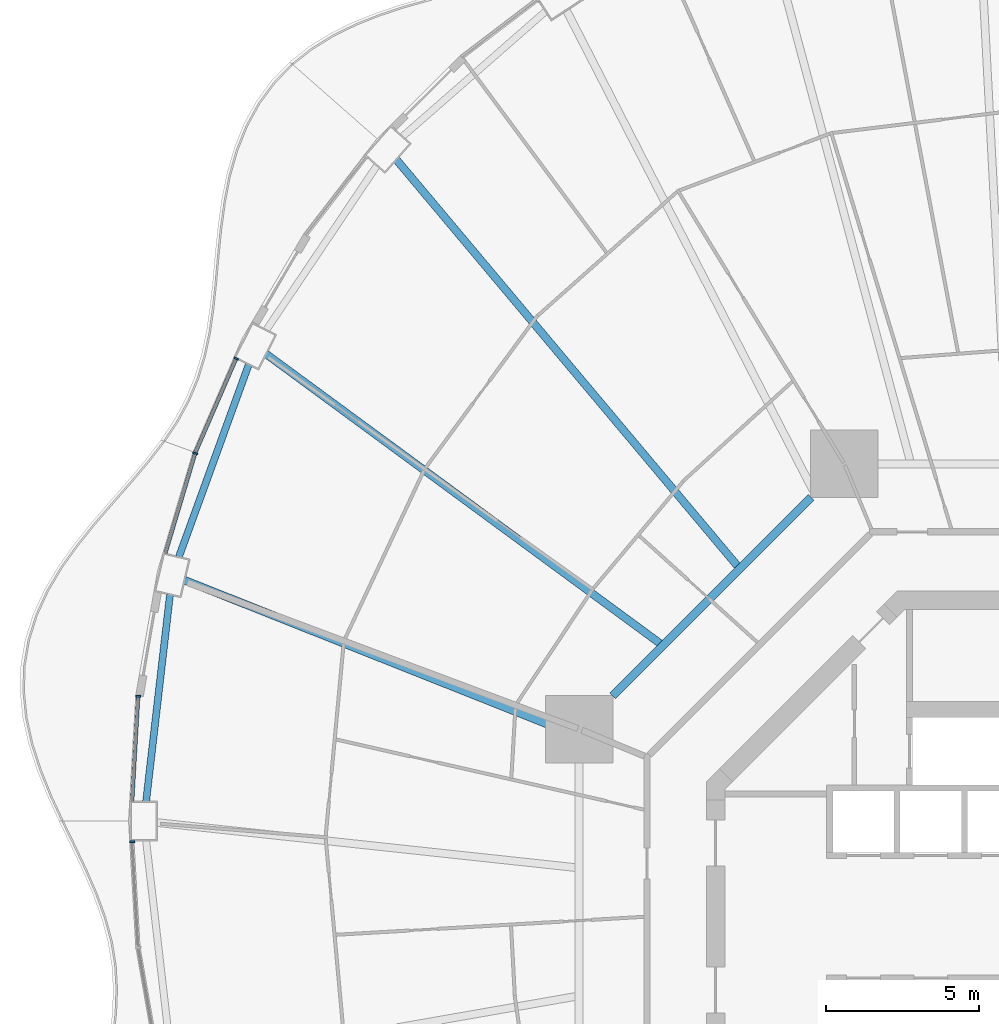
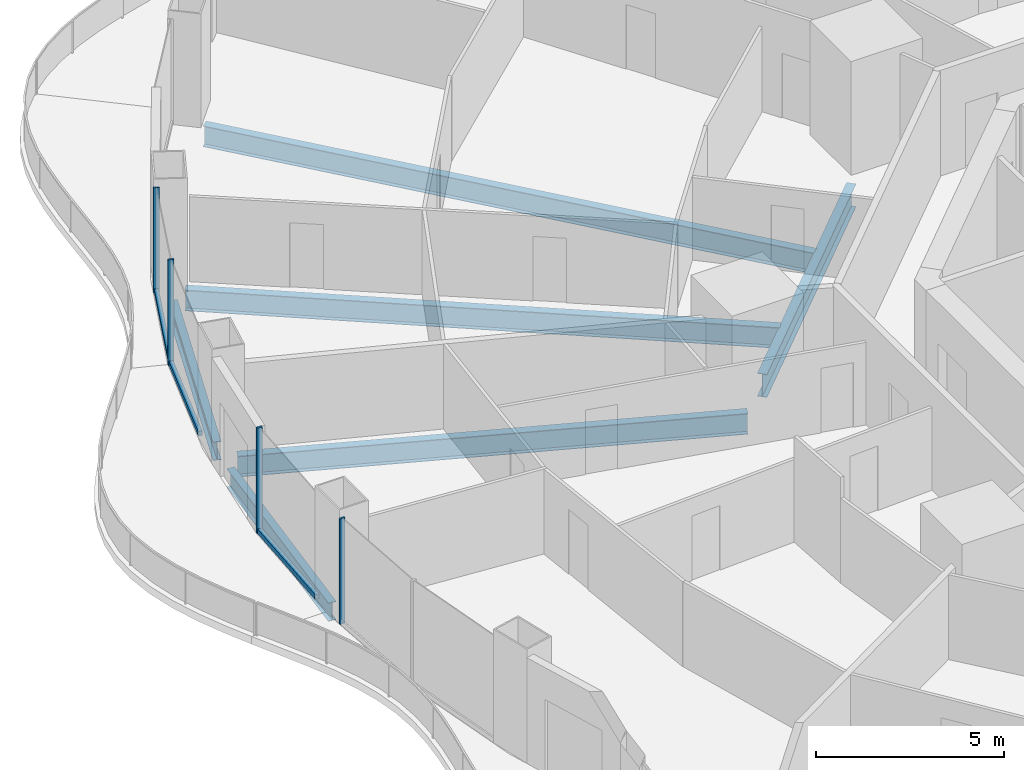
# One storey, part 7 of 22: 7 members, 6 beams, 4 elements without a shape of their own.
"""IFC4 building model written with IfcOpenShell, lengths in metres."""

from ifc_helpers import new_model, si_unit, direction, frame, origin, origin_2d, place, context, subcontext, project, spatial, rectangle, i_section, extrude, material, layer, layer_set, material_profile, profile_set, type_object, element, aggregate, save


model = new_model("IFC4")

# Units and contexts
model_context = context("Model", 3, precision=1e-05, world=origin(), true_north=direction((0.0, 1.0)))
body_context = subcontext(model_context, "Body", "Model", "MODEL_VIEW")
ifc_project = project(units=[si_unit("LENGTHUNIT", "METRE"), si_unit("AREAUNIT", "SQUARE_METRE"), si_unit("VOLUMEUNIT", "CUBIC_METRE"), si_unit("PLANEANGLEUNIT", "RADIAN"), si_unit("MASSUNIT", "GRAM", prefix="KILO")], contexts=[model_context])

# Site, building, storey
site_placement = place(None, origin())
site = spatial("IfcSite", under=ifc_project, at=site_placement, CompositionType="ELEMENT")
building_placement = place(site_placement, origin())
building = spatial("IfcBuilding", under=site, at=building_placement, Name="Nagisa Residences", CompositionType="ELEMENT")
storey_placement = place(building_placement, frame((0.0, 0.0, 84.39990234375)))
storey = spatial("IfcBuildingStorey", under=building, at=storey_placement, Name="L20", CompositionType="ELEMENT", Elevation=84.39990234375)

# Curtain wall, member
ifc_material_1 = material(Name="Concrete-coloured aluminium curtain wall system", Category="concrete")
ifc_layer = layer(ifc_material_1, 0.159912109375)
ifc_layer_set = layer_set([ifc_layer], Name="CW1 CURTAIN WALL")
curtain_wall_type = type_object("IfcCurtainWallType", Name="CW1 CURTAIN WALL", PredefinedType="NOTDEFINED", material=ifc_layer_set)
curtain_wall_1_placement = place(storey_placement, origin())
curtain_wall_1 = element("IfcCurtainWall", 1, at=curtain_wall_1_placement, inside=storey, type_object=curtain_wall_type, Name="cw:CW1:L20:20", PredefinedType="NOTDEFINED")
ifc_material_2 = material(Name="Concrete-coloured aluminium", Category="concrete")
ifc_material_profile_1 = material_profile(ifc_material_2, rectangle(XDim=0.159912109375, YDim=0.06005859375, at=origin_2d()), Name="CW1 MULLION 160x60")
ifc_profile_set_1 = profile_set([ifc_material_profile_1], Name="Concrete-coloured aluminium")
member_type_1 = type_object("IfcMemberType", Name="CW1 MULLION 160x60", PredefinedType="MULLION", material=ifc_profile_set_1)
member_1_placement = place(storey_placement, frame((-25.9814453125, 18.219482421875, 0.0), z_axis=(0.0, 0.0, 1.0), x_axis=(0.917543276295, -0.397635934147, 0.0)))
member_1 = element("IfcMember", 2, at=member_1_placement, type_object=member_type_1, Name="CW1 mullion", PredefinedType="MULLION", context=body_context, shape_type="SweptSolid", body=[
    extrude(rectangle(XDim=0.159912109375, YDim=0.06005859375, at=origin_2d()), origin(), (0.0, 0.0, 1.0), 3.440185546875),
])

curtain_wall_2_placement = place(storey_placement, origin())
curtain_wall_2 = element("IfcCurtainWall", 3, at=curtain_wall_2_placement, inside=storey, type_object=curtain_wall_type, Name="cw:CW1:L20:21", PredefinedType="NOTDEFINED")
member_2_placement = place(storey_placement, frame((-27.31884765625, 15.12646484375, 0.0), z_axis=(0.0, 0.0, 1.0), x_axis=(0.958271310082, -0.285860274038, 0.0)))
member_2 = element("IfcMember", 4, at=member_2_placement, type_object=member_type_1, Name="CW1 mullion", PredefinedType="MULLION", context=body_context, shape_type="SweptSolid", body=[
    extrude(rectangle(XDim=0.159912109375, YDim=0.06005859375, at=origin_2d()), origin(), (0.0, 0.0, 1.0), 3.440185546875),
])

curtain_wall_3_placement = place(storey_placement, origin())
curtain_wall_3 = element("IfcCurtainWall", 5, at=curtain_wall_3_placement, inside=storey, type_object=curtain_wall_type, Name="cw:CW1:L20:23", PredefinedType="NOTDEFINED")
member_3_placement = place(storey_placement, frame((-29.179931640625, 7.19677734375, 0.0), z_axis=(0.0, 0.0, 1.0), x_axis=(0.998345305184, -0.057503492216, 0.0)))
member_3 = element("IfcMember", 6, at=member_3_placement, type_object=member_type_1, Name="CW1 mullion", PredefinedType="MULLION", context=body_context, shape_type="SweptSolid", body=[
    extrude(rectangle(XDim=0.159912109375, YDim=0.06005859375, at=origin_2d()), origin(), (0.0, 0.0, 1.0), 3.440185546875),
])

curtain_wall_4_placement = place(storey_placement, origin())
curtain_wall_4 = element("IfcCurtainWall", 7, at=curtain_wall_4_placement, inside=storey, type_object=curtain_wall_type, Name="cw:CW1:L20:24", PredefinedType="NOTDEFINED")
member_4_placement = place(storey_placement, frame((-29.3759765625, 2.443359375, 0.0), z_axis=(0.0, 0.0, 1.0), x_axis=(0.998345305184, 0.057503492216, 0.0)))
member_4 = element("IfcMember", 8, at=member_4_placement, type_object=member_type_1, Name="CW1 mullion", PredefinedType="MULLION", context=body_context, shape_type="SweptSolid", body=[
    extrude(rectangle(XDim=0.159912109375, YDim=0.06005859375, at=origin_2d()), origin(), (0.0, 0.0, 1.0), 3.440185546875),
])
aggregate(curtain_wall_4, [member_4])

# Member
ifc_material_3 = material(Name="Concrete-coloured aluminium", Category="concrete")
ifc_material_profile_2 = material_profile(ifc_material_3, rectangle(XDim=0.1201171875, YDim=0.14990234375, at=origin_2d()), Name="CW1 TRANSOM 120x150")
ifc_profile_set_2 = profile_set([ifc_material_profile_2], Name="Concrete-coloured aluminium")
member_type_2 = type_object("IfcMemberType", Name="CW1 TRANSOM 120x150", PredefinedType="USERDEFINED", material=ifc_profile_set_2)
member_5_placement = place(storey_placement, frame((-25.9697265625, 18.2470703125, 0.0751953125), z_axis=(-0.397621629246, -0.917549475481, 0.0), x_axis=(0.917549475481, -0.397621629246, 0.0)))
member_5 = element("IfcMember", 9, at=member_5_placement, type_object=member_type_2, Name="CW1 transom", ObjectType="TRANSOM", PredefinedType="USERDEFINED", context=body_context, shape_type="SweptSolid", body=[
    extrude(rectangle(XDim=0.1201171875, YDim=0.14990234375, at=origin_2d()), origin(), (0.0, 0.0, 1.0), 3.37939453125),
])

aggregate(curtain_wall_1, [member_1, member_5])

member_6_placement = place(storey_placement, frame((-27.310302734375, 15.155029296875, 0.0751953125), z_axis=(-0.285816610469, -0.958284334203, 0.0), x_axis=(0.958284334203, -0.285816610469, 0.0)))
member_6 = element("IfcMember", 10, at=member_6_placement, type_object=member_type_2, Name="CW1 transom", ObjectType="TRANSOM", PredefinedType="USERDEFINED", context=body_context, shape_type="SweptSolid", body=[
    extrude(rectangle(XDim=0.1201171875, YDim=0.14990234375, at=origin_2d()), origin(), (0.0, 0.0, 1.0), 3.423583984375),
])

aggregate(curtain_wall_2, [member_2, member_6])

member_7_placement = place(storey_placement, frame((-29.17822265625, 7.2265625, 0.0751953125), z_axis=(-0.057476526179, -0.99834685803, 0.0), x_axis=(0.99834685803, -0.057476526179, 0.0)))
member_7 = element("IfcMember", 11, at=member_7_placement, type_object=member_type_2, Name="CW1 transom", ObjectType="TRANSOM", PredefinedType="USERDEFINED", context=body_context, shape_type="SweptSolid", body=[
    extrude(rectangle(XDim=0.1201171875, YDim=0.14990234375, at=origin_2d()), origin(), (0.0, 0.0, 1.0), 3.47021484375),
])

aggregate(curtain_wall_3, [member_3, member_7])

# Beams
ifc_material_4 = material(Name="Steel ASTM A572 Gr 50", Category="steel")
ifc_material_profile_3 = material_profile(ifc_material_4, i_section(OverallWidth=0.264892578125, OverallDepth=0.7529296875, WebThickness=0.01318359375, FlangeThickness=0.01708984375, at=origin_2d()), Name="W760x147")
ifc_profile_set_3 = profile_set([ifc_material_profile_3], Name="Steel ASTM A572 Gr 50")
beam_type_1 = type_object("IfcBeamType", Name="Inner ring beam W760x147", PredefinedType="BEAM", material=ifc_profile_set_3)
beam_1_placement = place(storey_placement, frame((-7.208740234375, 13.6962890625, -0.636474609375), z_axis=(-0.707106781187, -0.707106781187, 0.0), x_axis=(0.707106781187, -0.707106781187, 0.0)))
element("IfcBeam", 12, at=beam_1_placement, inside=storey, type_object=beam_type_1, Name="beam:L20:ib3", PredefinedType="BEAM", context=body_context, shape_type="SweptSolid", body=[
    extrude(i_section(OverallWidth=0.264892578125, OverallDepth=0.7529296875, WebThickness=0.01318359375, FlangeThickness=0.01708984375, at=origin_2d()), origin(), (0.0, 0.0, 1.0), 9.1748046875),
])
ifc_material_5 = material(Name="Steel ASTM A572 Gr 50", Category="steel")
ifc_material_profile_4 = material_profile(ifc_material_5, i_section(OverallWidth=0.22802734375, OverallDepth=0.60302734375, WebThickness=0.010498046875, FlangeThickness=0.014892578125, at=origin_2d()), Name="W610x101")
ifc_profile_set_4 = profile_set([ifc_material_profile_4], Name="Steel ASTM A572 Gr 50")
beam_type_2 = type_object("IfcBeamType", Name="Perimeter ring beam W610x101", PredefinedType="BEAM", material=ifc_profile_set_4)
beam_2_placement = place(storey_placement, frame((-25.568359375, 18.028564453125, -0.5615234375), z_axis=(-0.341365002286, -0.939930814057, 0.0), x_axis=(0.939930814057, -0.341365002286, 0.0)))
element("IfcBeam", 13, at=beam_2_placement, inside=storey, type_object=beam_type_2, Name="beam:L20:pb11", PredefinedType="BEAM", context=body_context, shape_type="SweptSolid", body=[
    extrude(i_section(OverallWidth=0.22802734375, OverallDepth=0.60302734375, WebThickness=0.010498046875, FlangeThickness=0.014892578125, at=origin_2d()), origin(), (0.0, 0.0, 1.0), 6.689208984375),
])
beam_3_placement = place(storey_placement, frame((-28.14111328125, 10.5146484375, -0.5615234375), z_axis=(-0.114690766503, -0.993401242237, 0.0), x_axis=(0.993401242237, -0.114690766503, 0.0)))
element("IfcBeam", 14, at=beam_3_placement, inside=storey, type_object=beam_type_2, Name="beam:L20:pb12", PredefinedType="BEAM", context=body_context, shape_type="SweptSolid", body=[
    extrude(i_section(OverallWidth=0.22802734375, OverallDepth=0.60302734375, WebThickness=0.010498046875, FlangeThickness=0.014892578125, at=origin_2d()), origin(), (0.0, 0.0, 1.0), 6.811767578125),
])
ifc_material_6 = material(Name="Steel ASTM A572 Gr 50", Category="steel")
ifc_material_profile_5 = material_profile(ifc_material_6, i_section(OverallWidth=0.2529296875, OverallDepth=0.677978515625, WebThickness=0.01171875, FlangeThickness=0.016357421875, at=origin_2d()), Name="W690x125")
ifc_profile_set_5 = profile_set([ifc_material_profile_5], Name="Steel ASTM A572 Gr 50")
beam_type_3 = type_object("IfcBeamType", Name="Radial beam W690x125", PredefinedType="BEAM", material=ifc_profile_set_5)
beam_4_placement = place(storey_placement, frame((-20.75, 24.71533203125, -0.598876953125), z_axis=(0.642994706096, -0.765870620884, 0.0), x_axis=(0.765870620884, 0.642994706096, 0.0)))
element("IfcBeam", 15, at=beam_4_placement, inside=storey, type_object=beam_type_3, Name="beam:L20:rb10", PredefinedType="BEAM", context=body_context, shape_type="SweptSolid", body=[
    extrude(i_section(OverallWidth=0.2529296875, OverallDepth=0.677978515625, WebThickness=0.01171875, FlangeThickness=0.016357421875, at=origin_2d()), origin(), (0.0, 0.0, 1.0), 17.319580078125),
])
beam_5_placement = place(storey_placement, frame((-25.0, 18.366943359375, -0.598876953125), z_axis=(0.805892392895, -0.59206203313, 0.0), x_axis=(0.59206203313, 0.805892392895, 0.0)))
element("IfcBeam", 16, at=beam_5_placement, inside=storey, type_object=beam_type_3, Name="beam:L20:rb11", PredefinedType="BEAM", context=body_context, shape_type="SweptSolid", body=[
    extrude(i_section(OverallWidth=0.2529296875, OverallDepth=0.677978515625, WebThickness=0.01171875, FlangeThickness=0.016357421875, at=origin_2d()), origin(), (0.0, 0.0, 1.0), 15.95361328125),
])
beam_6_placement = place(storey_placement, frame((-27.6640625, 10.984375, -0.598876953125), z_axis=(0.929418643834, -0.369027078267, 0.0), x_axis=(0.369027078267, 0.929418643834, 0.0)))
element("IfcBeam", 17, at=beam_6_placement, inside=storey, type_object=beam_type_3, Name="beam:L20:rb12", PredefinedType="BEAM", context=body_context, shape_type="SweptSolid", body=[
    extrude(i_section(OverallWidth=0.2529296875, OverallDepth=0.677978515625, WebThickness=0.01171875, FlangeThickness=0.016357421875, at=origin_2d()), origin(), (0.0, 0.0, 1.0), 13.73779296875),
])

save(model, "model.ifc")
